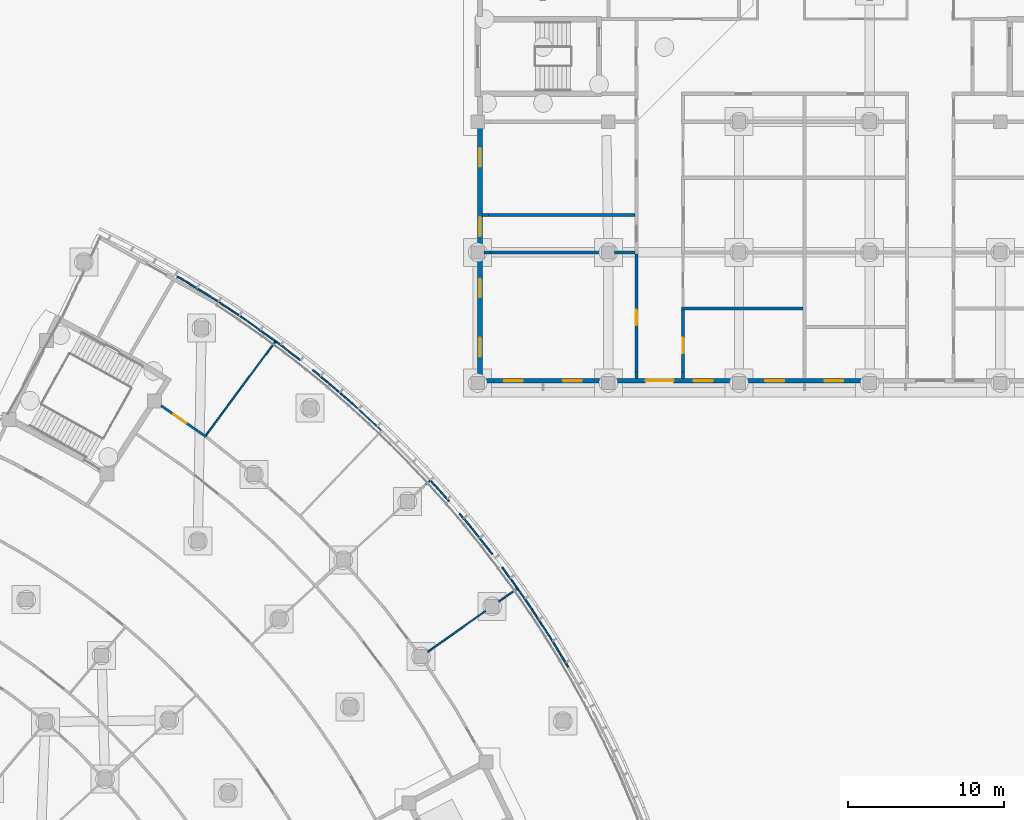
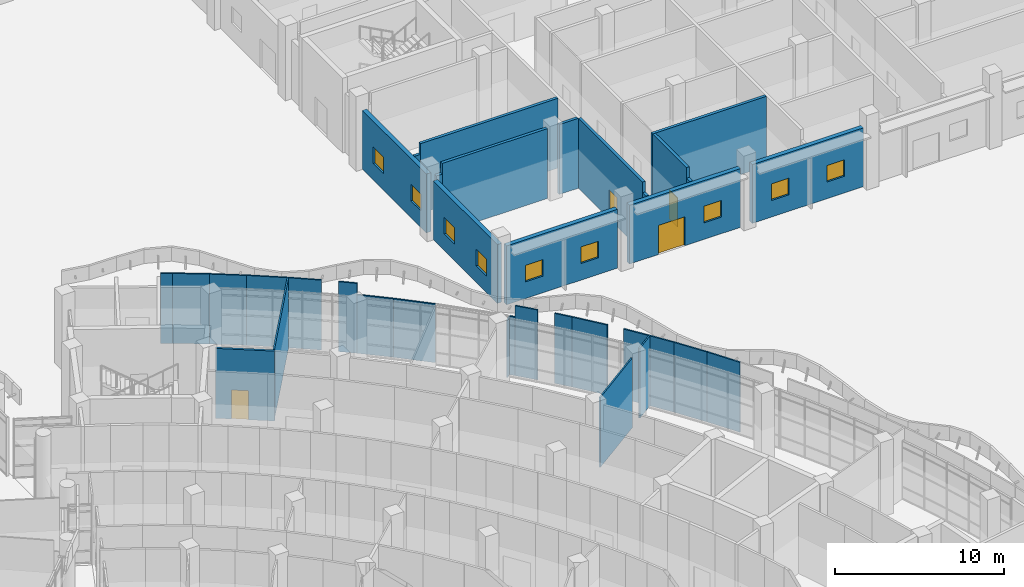
# One storey, part 80 of 146: 36 walls, 9 windows, 4 doors, 13 openings.
"""IFC4 building model written with IfcOpenShell, lengths in metres."""

from ifc_helpers import new_model, si_unit, direction, frame, frame_2d, origin, place, context, subcontext, project, spatial, rectangle, extrude, material, layer, layer_set, type_object, element, fill, save


model = new_model("IFC4")

# Units and contexts
model_context = context("Model", 3, precision=1e-05, world=origin(), true_north=direction((0.0, 1.0)))
body_context = subcontext(model_context, "Body", "Model", "MODEL_VIEW")
ifc_project = project(units=[si_unit("LENGTHUNIT", "METRE"), si_unit("AREAUNIT", "SQUARE_METRE"), si_unit("VOLUMEUNIT", "CUBIC_METRE"), si_unit("PLANEANGLEUNIT", "RADIAN"), si_unit("MASSUNIT", "GRAM", prefix="KILO")], contexts=[model_context])

# Site, building, storey
site_placement = place(None, origin())
site = spatial("IfcSite", under=ifc_project, at=site_placement, CompositionType="ELEMENT")
building_placement = place(site_placement, origin())
building = spatial("IfcBuilding", under=site, at=building_placement, Name="Bougainvillea Quay General Hospital", CompositionType="ELEMENT")
storey_placement = place(building_placement, origin())
storey = spatial("IfcBuildingStorey", under=building, at=storey_placement, Name="L00", CompositionType="ELEMENT", Elevation=0.0)

# Wall, openings, windows
ifc_material_1 = material(Name="Pale stone rainscreen cladding on insulated masonry backing, pale stone", Category="masonry")
ifc_layer_1 = layer(ifc_material_1, 0.300048828125)
ifc_layer_set_1 = layer_set([ifc_layer_1], Name="Pale stone rainscreen cladding on insulated masonry backing, pale stone")
wall_type_1 = type_object("IfcWallType", Name="External wall pale stone rainscreen 300", PredefinedType="STANDARD", material=ifc_layer_set_1)
wall_1_placement = place(storey_placement, frame((163.949951171875, 92.0, 0.0), z_axis=(0.0, 0.0, 1.0), x_axis=(0.0, -1.0, 0.0)))
wall_1 = element("IfcWall", 1, at=wall_1_placement, inside=storey, type_object=wall_type_1, Name="External wall wall/V3/L00/p0/00e", PredefinedType="STANDARD", context=body_context, shape_type="SweptSolid", body=[
    extrude(rectangle(XDim=7.60009765625, YDim=0.300048828125, at=frame_2d((3.800048828125, 0.0))), origin(), (0.0, 0.0, 1.0), 4.25),
])
opening_1_placement = place(wall_1_placement, frame((1.300048828125, 0.0, 1.199951171875)))
opening_1 = element("IfcOpeningElement", 2, at=opening_1_placement, cuts=wall_1, Name="Opening W2", PredefinedType="OPENING", context=body_context, shape_type="SweptSolid", body=[
    extrude(rectangle(XDim=1.199951171875, YDim=1.199951171875, at=frame_2d((0.60009765625, 0.60009765625))), frame((0.0, 0.159912109375, 0.0), z_axis=(0.0, -1.0, 0.0), x_axis=(1.0, 0.0, 0.0)), (0.0, 0.0, 1.0), 0.320068359375),
])
opening_2_placement = place(wall_1_placement, frame((5.75, 0.0, 1.199951171875)))
opening_2 = element("IfcOpeningElement", 3, at=opening_2_placement, cuts=wall_1, Name="Opening W2", PredefinedType="OPENING", context=body_context, shape_type="SweptSolid", body=[
    extrude(rectangle(XDim=1.199951171875, YDim=1.199951171875, at=frame_2d((0.60009765625, 0.60009765625))), frame((0.0, 0.159912109375, 0.0), z_axis=(0.0, -1.0, 0.0), x_axis=(1.0, 0.0, 0.0)), (0.0, 0.0, 1.0), 0.320068359375),
])
ifc_material_2 = material(Name="Aluminium window frame with low-e double glazed unit", Category="aluminium")
window_type = type_object("IfcWindowType", Name="Window W2 1200x1200", PartitioningType="SINGLE_PANEL", PredefinedType="WINDOW", material=ifc_material_2)
window_1_placement = place(opening_1_placement, origin())
window_1 = element("IfcWindow", 4, at=window_1_placement, inside=storey, type_object=window_type, Name="Window W2 1", OverallHeight=1.199951171875, OverallWidth=1.199951171875, PartitioningType="SINGLE_PANEL", PredefinedType="WINDOW", context=body_context, shape_type="SweptSolid", body=[
    extrude(rectangle(XDim=1.199951171875, YDim=1.199951171875, at=frame_2d((0.60009765625, 0.60009765625))), frame((0.0, 0.030029296875, 0.0), z_axis=(0.0, -1.0, 0.0), x_axis=(1.0, 0.0, 0.0)), (0.0, 0.0, 1.0), 0.06005859375),
])
fill(opening_1, window_1)
window_2_placement = place(opening_2_placement, origin())
window_2 = element("IfcWindow", 5, at=window_2_placement, inside=storey, type_object=window_type, Name="Window W2 2", OverallHeight=1.199951171875, OverallWidth=1.199951171875, PartitioningType="SINGLE_PANEL", PredefinedType="WINDOW", context=body_context, shape_type="SweptSolid", body=[
    extrude(rectangle(XDim=1.199951171875, YDim=1.199951171875, at=frame_2d((0.60009765625, 0.60009765625))), frame((0.0, 0.030029296875, 0.0), z_axis=(0.0, -1.0, 0.0), x_axis=(1.0, 0.0, 0.0)), (0.0, 0.0, 1.0), 0.06005859375),
])
fill(opening_2, window_2)

wall_2_placement = place(storey_placement, frame((163.949951171875, 83.60009765625, 0.0), z_axis=(0.0, 0.0, 1.0), x_axis=(0.0, -1.0, 0.0)))
wall_2 = element("IfcWall", 6, at=wall_2_placement, inside=storey, type_object=wall_type_1, Name="External wall wall/V3/L00/p0/00f", PredefinedType="STANDARD", context=body_context, shape_type="SweptSolid", body=[
    extrude(rectangle(XDim=7.60009765625, YDim=0.300048828125, at=frame_2d((3.800048828125, 0.0))), origin(), (0.0, 0.0, 1.0), 4.25),
])
opening_3_placement = place(wall_2_placement, frame((1.300048828125, 0.0, 1.199951171875)))
opening_3 = element("IfcOpeningElement", 7, at=opening_3_placement, cuts=wall_2, Name="Opening W2", PredefinedType="OPENING", context=body_context, shape_type="SweptSolid", body=[
    extrude(rectangle(XDim=1.199951171875, YDim=1.199951171875, at=frame_2d((0.60009765625, 0.60009765625))), frame((0.0, 0.159912109375, 0.0), z_axis=(0.0, -1.0, 0.0), x_axis=(1.0, 0.0, 0.0)), (0.0, 0.0, 1.0), 0.320068359375),
])
opening_4_placement = place(wall_2_placement, frame((5.10009765625, 0.0, 1.199951171875)))
opening_4 = element("IfcOpeningElement", 8, at=opening_4_placement, cuts=wall_2, Name="Opening W2", PredefinedType="OPENING", context=body_context, shape_type="SweptSolid", body=[
    extrude(rectangle(XDim=1.199951171875, YDim=1.199951171875, at=frame_2d((0.60009765625, 0.60009765625))), frame((0.0, 0.159912109375, 0.0), z_axis=(0.0, -1.0, 0.0), x_axis=(1.0, 0.0, 0.0)), (0.0, 0.0, 1.0), 0.320068359375),
])
window_3_placement = place(opening_3_placement, origin())
window_3 = element("IfcWindow", 9, at=window_3_placement, inside=storey, type_object=window_type, Name="Window W2 1", OverallHeight=1.199951171875, OverallWidth=1.199951171875, PartitioningType="SINGLE_PANEL", PredefinedType="WINDOW", context=body_context, shape_type="SweptSolid", body=[
    extrude(rectangle(XDim=1.199951171875, YDim=1.199951171875, at=frame_2d((0.60009765625, 0.60009765625))), frame((0.0, 0.030029296875, 0.0), z_axis=(0.0, -1.0, 0.0), x_axis=(1.0, 0.0, 0.0)), (0.0, 0.0, 1.0), 0.06005859375),
])
fill(opening_3, window_3)
window_4_placement = place(opening_4_placement, origin())
window_4 = element("IfcWindow", 10, at=window_4_placement, inside=storey, type_object=window_type, Name="Window W2 2", OverallHeight=1.199951171875, OverallWidth=1.199951171875, PartitioningType="SINGLE_PANEL", PredefinedType="WINDOW", context=body_context, shape_type="SweptSolid", body=[
    extrude(rectangle(XDim=1.199951171875, YDim=1.199951171875, at=frame_2d((0.60009765625, 0.60009765625))), frame((0.0, 0.030029296875, 0.0), z_axis=(0.0, -1.0, 0.0), x_axis=(1.0, 0.0, 0.0)), (0.0, 0.0, 1.0), 0.06005859375),
])
fill(opening_4, window_4)

wall_3_placement = place(storey_placement, frame((164.199951171875, 75.75, 0.0), z_axis=(0.0, 0.0, 1.0), x_axis=(1.0, 0.0, 0.0)))
wall_3 = element("IfcWall", 11, at=wall_3_placement, inside=storey, type_object=wall_type_1, Name="External wall wall/V3/L00/p0/01a", PredefinedType="STANDARD", context=body_context, shape_type="SweptSolid", body=[
    extrude(rectangle(XDim=7.60009765625, YDim=0.300048828125, at=frame_2d((3.800048828125, 0.0))), origin(), (0.0, 0.0, 1.0), 4.25),
])
opening_5_placement = place(wall_3_placement, frame((1.300048828125, 0.0, 1.199951171875)))
opening_5 = element("IfcOpeningElement", 12, at=opening_5_placement, cuts=wall_3, Name="Opening W2", PredefinedType="OPENING", context=body_context, shape_type="SweptSolid", body=[
    extrude(rectangle(XDim=1.199951171875, YDim=1.199951171875, at=frame_2d((0.60009765625, 0.60009765625))), frame((0.0, 0.159912109375, 0.0), z_axis=(0.0, -1.0, 0.0), x_axis=(1.0, 0.0, 0.0)), (0.0, 0.0, 1.0), 0.320068359375),
])
opening_6_placement = place(wall_3_placement, frame((5.10009765625, 0.0, 1.199951171875)))
opening_6 = element("IfcOpeningElement", 13, at=opening_6_placement, cuts=wall_3, Name="Opening W2", PredefinedType="OPENING", context=body_context, shape_type="SweptSolid", body=[
    extrude(rectangle(XDim=1.199951171875, YDim=1.199951171875, at=frame_2d((0.60009765625, 0.60009765625))), frame((0.0, 0.159912109375, 0.0), z_axis=(0.0, -1.0, 0.0), x_axis=(1.0, 0.0, 0.0)), (0.0, 0.0, 1.0), 0.320068359375),
])
window_5_placement = place(opening_5_placement, origin())
window_5 = element("IfcWindow", 14, at=window_5_placement, inside=storey, type_object=window_type, Name="Window W2 1", OverallHeight=1.199951171875, OverallWidth=1.199951171875, PartitioningType="SINGLE_PANEL", PredefinedType="WINDOW", context=body_context, shape_type="SweptSolid", body=[
    extrude(rectangle(XDim=1.199951171875, YDim=1.199951171875, at=frame_2d((0.60009765625, 0.60009765625))), frame((0.0, 0.030029296875, 0.0), z_axis=(0.0, -1.0, 0.0), x_axis=(1.0, 0.0, 0.0)), (0.0, 0.0, 1.0), 0.06005859375),
])
fill(opening_5, window_5)
window_6_placement = place(opening_6_placement, origin())
window_6 = element("IfcWindow", 15, at=window_6_placement, inside=storey, type_object=window_type, Name="Window W2 2", OverallHeight=1.199951171875, OverallWidth=1.199951171875, PartitioningType="SINGLE_PANEL", PredefinedType="WINDOW", context=body_context, shape_type="SweptSolid", body=[
    extrude(rectangle(XDim=1.199951171875, YDim=1.199951171875, at=frame_2d((0.60009765625, 0.60009765625))), frame((0.0, 0.030029296875, 0.0), z_axis=(0.0, -1.0, 0.0), x_axis=(1.0, 0.0, 0.0)), (0.0, 0.0, 1.0), 0.06005859375),
])
fill(opening_6, window_6)

# Wall, openings, door, window
wall_4_placement = place(storey_placement, frame((172.60009765625, 75.75, 0.0), z_axis=(0.0, 0.0, 1.0), x_axis=(1.0, 0.0, 0.0)))
wall_4 = element("IfcWall", 16, at=wall_4_placement, inside=storey, type_object=wall_type_1, Name="External wall wall/V3/L00/p0/01b", PredefinedType="STANDARD", context=body_context, shape_type="SweptSolid", body=[
    extrude(rectangle(XDim=7.599853515625, YDim=0.300048828125, at=frame_2d((3.7998046875, 0.0))), origin(), (0.0, 0.0, 1.0), 4.25),
])
opening_7_placement = place(wall_4_placement, frame((2.0, 0.0, 0.0)))
opening_7 = element("IfcOpeningElement", 17, at=opening_7_placement, cuts=wall_4, Name="Opening L00.323", PredefinedType="OPENING", context=body_context, shape_type="SweptSolid", body=[
    extrude(rectangle(XDim=1.800048828125, YDim=2.10009765625, at=frame_2d((0.89990234375, 1.050048828125))), frame((0.0, 0.159912109375, 0.0), z_axis=(0.0, -1.0, 0.0), x_axis=(1.0, 0.0, 0.0)), (0.0, 0.0, 1.0), 0.320068359375),
])
opening_8_placement = place(wall_4_placement, frame((5.10009765625, 0.0, 1.199951171875)))
opening_8 = element("IfcOpeningElement", 18, at=opening_8_placement, cuts=wall_4, Name="Opening W2", PredefinedType="OPENING", context=body_context, shape_type="SweptSolid", body=[
    extrude(rectangle(XDim=1.199951171875, YDim=1.199951171875, at=frame_2d((0.60009765625, 0.60009765625))), frame((0.0, 0.159912109375, 0.0), z_axis=(0.0, -1.0, 0.0), x_axis=(1.0, 0.0, 0.0)), (0.0, 0.0, 1.0), 0.320068359375),
])
ifc_material_3 = material(Name="Steel door set, painted, with vision panels", Category="steel")
door_type_1 = type_object("IfcDoorType", Name="Escape door 1800x2100", OperationType="DOUBLE_DOOR_SINGLE_SWING", PredefinedType="DOOR", material=ifc_material_3)
door_1_placement = place(opening_7_placement, frame((1.800048828125, 0.0, 0.0), z_axis=(0.0, 0.0, 1.0), x_axis=(-1.0, 0.0, 0.0)))
door_1 = element("IfcDoor", 19, at=door_1_placement, inside=storey, type_object=door_type_1, Name="Escape door 11", OperationType="SINGLE_SWING_LEFT", OverallHeight=2.10009765625, OverallWidth=1.800048828125, PredefinedType="DOOR", context=body_context, shape_type="SweptSolid", body=[
    extrude(rectangle(XDim=1.800048828125, YDim=2.10009765625, at=frame_2d((0.89990234375, 1.050048828125))), frame((0.0, 0.02490234375, 0.0), z_axis=(0.0, -1.0, 0.0), x_axis=(1.0, 0.0, 0.0)), (0.0, 0.0, 1.0), 0.050048828125),
])
fill(opening_7, door_1)
window_7_placement = place(opening_8_placement, origin())
window_7 = element("IfcWindow", 20, at=window_7_placement, inside=storey, type_object=window_type, Name="Window W2 2", OverallHeight=1.199951171875, OverallWidth=1.199951171875, PartitioningType="SINGLE_PANEL", PredefinedType="WINDOW", context=body_context, shape_type="SweptSolid", body=[
    extrude(rectangle(XDim=1.199951171875, YDim=1.199951171875, at=frame_2d((0.60009765625, 0.60009765625))), frame((0.0, 0.030029296875, 0.0), z_axis=(0.0, -1.0, 0.0), x_axis=(1.0, 0.0, 0.0)), (0.0, 0.0, 1.0), 0.06005859375),
])
fill(opening_8, window_7)

# Wall, openings, windows
wall_5_placement = place(storey_placement, frame((181.0, 75.75, 0.0), z_axis=(0.0, 0.0, 1.0), x_axis=(1.0, 0.0, 0.0)))
wall_5 = element("IfcWall", 21, at=wall_5_placement, inside=storey, type_object=wall_type_1, Name="External wall wall/V3/L00/p0/01c", PredefinedType="STANDARD", context=body_context, shape_type="SweptSolid", body=[
    extrude(rectangle(XDim=7.60009765625, YDim=0.300048828125, at=frame_2d((3.800048828125, 0.0))), origin(), (0.0, 0.0, 1.0), 4.25),
])
opening_9_placement = place(wall_5_placement, frame((1.300048828125, 0.0, 1.199951171875)))
opening_9 = element("IfcOpeningElement", 22, at=opening_9_placement, cuts=wall_5, Name="Opening W2", PredefinedType="OPENING", context=body_context, shape_type="SweptSolid", body=[
    extrude(rectangle(XDim=1.199951171875, YDim=1.199951171875, at=frame_2d((0.60009765625, 0.60009765625))), frame((0.0, 0.159912109375, 0.0), z_axis=(0.0, -1.0, 0.0), x_axis=(1.0, 0.0, 0.0)), (0.0, 0.0, 1.0), 0.320068359375),
])
opening_10_placement = place(wall_5_placement, frame((5.10009765625, 0.0, 1.199951171875)))
opening_10 = element("IfcOpeningElement", 23, at=opening_10_placement, cuts=wall_5, Name="Opening W2", PredefinedType="OPENING", context=body_context, shape_type="SweptSolid", body=[
    extrude(rectangle(XDim=1.199951171875, YDim=1.199951171875, at=frame_2d((0.60009765625, 0.60009765625))), frame((0.0, 0.159912109375, 0.0), z_axis=(0.0, -1.0, 0.0), x_axis=(1.0, 0.0, 0.0)), (0.0, 0.0, 1.0), 0.320068359375),
])
window_8_placement = place(opening_9_placement, origin())
window_8 = element("IfcWindow", 24, at=window_8_placement, inside=storey, type_object=window_type, Name="Window W2 1", OverallHeight=1.199951171875, OverallWidth=1.199951171875, PartitioningType="SINGLE_PANEL", PredefinedType="WINDOW", context=body_context, shape_type="SweptSolid", body=[
    extrude(rectangle(XDim=1.199951171875, YDim=1.199951171875, at=frame_2d((0.60009765625, 0.60009765625))), frame((0.0, 0.030029296875, 0.0), z_axis=(0.0, -1.0, 0.0), x_axis=(1.0, 0.0, 0.0)), (0.0, 0.0, 1.0), 0.06005859375),
])
fill(opening_9, window_8)
window_9_placement = place(opening_10_placement, origin())
window_9 = element("IfcWindow", 25, at=window_9_placement, inside=storey, type_object=window_type, Name="Window W2 2", OverallHeight=1.199951171875, OverallWidth=1.199951171875, PartitioningType="SINGLE_PANEL", PredefinedType="WINDOW", context=body_context, shape_type="SweptSolid", body=[
    extrude(rectangle(XDim=1.199951171875, YDim=1.199951171875, at=frame_2d((0.60009765625, 0.60009765625))), frame((0.0, 0.030029296875, 0.0), z_axis=(0.0, -1.0, 0.0), x_axis=(1.0, 0.0, 0.0)), (0.0, 0.0, 1.0), 0.06005859375),
])
fill(opening_10, window_9)

# Walls
ifc_material_4 = material(Name="Gypsum board partition on steel studs", Category="steel")
ifc_layer_2 = layer(ifc_material_4, 0.10009765625)
ifc_layer_set_2 = layer_set([ifc_layer_2], Name="Gypsum board partition on steel studs")
wall_type_2 = type_object("IfcWallType", Name="Partition 100 Gypsum board partition EI 30", PredefinedType="PARTITIONING", material=ifc_layer_set_2)
wall_6_placement = place(storey_placement, frame((160.474853515625, 69.09033203125, 0.0), z_axis=(0.0, 0.0, 1.0), x_axis=(0.736629194593, 0.676296850262, 0.0)))
element("IfcWall", 26, at=wall_6_placement, inside=storey, type_object=wall_type_2, Name="Partition 100 mm EI 30", PredefinedType="PARTITIONING", context=body_context, shape_type="SweptSolid", body=[
    extrude(rectangle(XDim=0.4248046875, YDim=0.10009765625, at=frame_2d((0.21240234375, 0.0))), origin(), (0.0, 0.0, 1.0), 4.1298828125),
])
wall_7_placement = place(storey_placement, frame((146.33447265625, 72.24267578125, 0.0), z_axis=(0.0, 0.0, 1.0), x_axis=(0.594359314976, 0.804199605012, 0.0)))
element("IfcWall", 27, at=wall_7_placement, inside=storey, type_object=wall_type_2, Name="Partition 100 mm EI 30", PredefinedType="PARTITIONING", context=body_context, shape_type="SweptSolid", body=[
    extrude(rectangle(XDim=7.568359375, YDim=0.10009765625, at=frame_2d((3.7841796875, 0.0))), origin(), (0.0, 0.0, 1.0), 5.050048828125),
])
wall_8_placement = place(storey_placement, frame((160.585205078125, 58.318603515625, 0.0), z_axis=(0.0, 0.0, 1.0), x_axis=(0.816630246187, 0.577161191534, 0.0)))
element("IfcWall", 28, at=wall_8_placement, inside=storey, type_object=wall_type_2, Name="Partition 100 mm EI 30", PredefinedType="PARTITIONING", context=body_context, shape_type="SweptSolid", body=[
    extrude(rectangle(XDim=4.551025390625, YDim=0.10009765625, at=frame_2d((2.275390625, 0.0))), origin(), (0.0, 0.0, 1.0), 5.050048828125),
])
wall_9_placement = place(storey_placement, frame((165.158203125, 61.550537109375, 0.0), z_axis=(0.0, 0.0, 1.0), x_axis=(0.816659911288, 0.577119215842, 0.0)))
element("IfcWall", 29, at=wall_9_placement, inside=storey, type_object=wall_type_2, Name="Partition 100 mm EI 30", PredefinedType="PARTITIONING", context=body_context, shape_type="SweptSolid", body=[
    extrude(rectangle(XDim=1.5166015625, YDim=0.10009765625, at=frame_2d((0.75830078125, 0.0))), origin(), (0.0, 0.0, 1.0), 5.050048828125),
])
wall_10_placement = place(storey_placement, frame((155.734375, 74.2890625, 0.0), z_axis=(0.0, 0.0, 1.0), x_axis=(0.733429122978, -0.679765931456, 0.0)))
element("IfcWall", 30, at=wall_10_placement, inside=storey, type_object=wall_type_2, Name="Partition 100 mm EI 30", PredefinedType="PARTITIONING", context=body_context, shape_type="SweptSolid", body=[
    extrude(rectangle(XDim=2.529541015625, YDim=0.10009765625, at=frame_2d((1.2646484375, 0.0))), origin(), (0.0, 0.0, 1.0), 4.22998046875),
])
wall_11_placement = place(storey_placement, frame((148.810302734375, 79.713134765625, 0.0), z_axis=(0.0, 0.0, 1.0), x_axis=(0.813602775044, -0.581421124866, 0.0)))
element("IfcWall", 31, at=wall_11_placement, inside=storey, type_object=wall_type_2, Name="Partition 100 mm EI 30", PredefinedType="PARTITIONING", context=body_context, shape_type="SweptSolid", body=[
    extrude(rectangle(XDim=2.3984375, YDim=0.10009765625, at=frame_2d((1.19921875, 0.0))), origin(), (0.0, 0.0, 1.0), 5.050048828125),
])
wall_12_placement = place(storey_placement, frame((168.482177734375, 59.212890625, 0.0), z_axis=(0.0, 0.0, 1.0), x_axis=(0.517604223091, -0.855620165867, 0.0)))
element("IfcWall", 32, at=wall_12_placement, inside=storey, type_object=wall_type_2, Name="Partition 100 mm EI 30", PredefinedType="PARTITIONING", context=body_context, shape_type="SweptSolid", body=[
    extrude(rectangle(XDim=2.20361328125, YDim=0.10009765625, at=frame_2d((1.101806640625, 0.0))), origin(), (0.0, 0.0, 1.0), 5.050048828125),
])
wall_13_placement = place(storey_placement, frame((167.28271484375, 61.058837890625, 0.0), z_axis=(0.0, 0.0, 1.0), x_axis=(0.544248024884, -0.838924363342, 0.0)))
element("IfcWall", 33, at=wall_13_placement, inside=storey, type_object=wall_type_2, Name="Partition 100 mm EI 30", PredefinedType="PARTITIONING", context=body_context, shape_type="SweptSolid", body=[
    extrude(rectangle(XDim=2.202880859375, YDim=0.10009765625, at=frame_2d((1.1015625, 0.0))), origin(), (0.0, 0.0, 1.0), 5.050048828125),
])
wall_14_placement = place(storey_placement, frame((163.344970703125, 66.357177734375, 0.0), z_axis=(0.0, 0.0, 1.0), x_axis=(0.621064038845, -0.783759822684, 0.0)))
element("IfcWall", 34, at=wall_14_placement, inside=storey, type_object=wall_type_2, Name="Partition 100 mm EI 30", PredefinedType="PARTITIONING", context=body_context, shape_type="SweptSolid", body=[
    extrude(rectangle(XDim=2.2509765625, YDim=0.10009765625, at=frame_2d((1.12548828125, 0.0))), origin(), (0.0, 0.0, 1.0), 5.050048828125),
])
wall_15_placement = place(storey_placement, frame((154.068115234375, 75.7255859375, 0.0), z_axis=(0.0, 0.0, 1.0), x_axis=(0.756840461565, -0.653599660142, 0.0)))
element("IfcWall", 35, at=wall_15_placement, inside=storey, type_object=wall_type_2, Name="Partition 100 mm EI 30", PredefinedType="PARTITIONING", context=body_context, shape_type="SweptSolid", body=[
    extrude(rectangle(XDim=2.20166015625, YDim=0.10009765625, at=frame_2d((1.100830078125, 0.0))), origin(), (0.0, 0.0, 1.0), 4.22998046875),
])
wall_16_placement = place(storey_placement, frame((146.977294921875, 80.9296875, 0.0), z_axis=(0.0, 0.0, 1.0), x_axis=(0.832749063635, -0.553650609152, 0.0)))
element("IfcWall", 36, at=wall_16_placement, inside=storey, type_object=wall_type_2, Name="Partition 100 mm EI 30", PredefinedType="PARTITIONING", context=body_context, shape_type="SweptSolid", body=[
    extrude(rectangle(XDim=2.20166015625, YDim=0.10009765625, at=frame_2d((1.100830078125, 0.0))), origin(), (0.0, 0.0, 1.0), 5.050048828125),
])
wall_17_placement = place(storey_placement, frame((145.107421875, 82.08837890625, 0.0), z_axis=(0.0, 0.0, 1.0), x_axis=(0.849645306831, -0.527354579557, 0.0)))
element("IfcWall", 37, at=wall_17_placement, inside=storey, type_object=wall_type_2, Name="Partition 100 mm EI 30", PredefinedType="PARTITIONING", context=body_context, shape_type="SweptSolid", body=[
    extrude(rectangle(XDim=2.201416015625, YDim=0.10009765625, at=frame_2d((1.1005859375, 0.0))), origin(), (0.0, 0.0, 1.0), 5.050048828125),
])
wall_18_placement = place(storey_placement, frame((150.84326171875, 78.25830078125, 0.0), z_axis=(0.0, 0.0, 1.0), x_axis=(0.796261035584, -0.604953190925, 0.0)))
element("IfcWall", 38, at=wall_18_placement, inside=storey, type_object=wall_type_2, Name="Partition 100 mm EI 30", PredefinedType="PARTITIONING", context=body_context, shape_type="SweptSolid", body=[
    extrude(rectangle(XDim=1.951171875, YDim=0.10009765625, at=frame_2d((0.9755859375, 0.0))), origin(), (0.0, 0.0, 1.0), 5.050048828125),
])
wall_19_placement = place(storey_placement, frame((160.784912109375, 69.306396484375, 0.0), z_axis=(0.0, 0.0, 1.0), x_axis=(0.666957987384, -0.745095324818, 0.0)))
element("IfcWall", 39, at=wall_19_placement, inside=storey, type_object=wall_type_2, Name="Partition 100 mm EI 30", PredefinedType="PARTITIONING", context=body_context, shape_type="SweptSolid", body=[
    extrude(rectangle(XDim=0.349853515625, YDim=0.10009765625, at=frame_2d((0.1748046875, 0.0))), origin(), (0.0, 0.0, 1.0), 4.22998046875),
])
wall_20_placement = place(storey_placement, frame((161.018310546875, 69.045654296875, 0.0), z_axis=(0.0, 0.0, 1.0), x_axis=(0.667648018885, -0.744477080157, 0.0)))
element("IfcWall", 40, at=wall_20_placement, inside=storey, type_object=wall_type_2, Name="Partition 100 mm EI 30", PredefinedType="PARTITIONING", context=body_context, shape_type="SweptSolid", body=[
    extrude(rectangle(XDim=1.404541015625, YDim=0.10009765625, at=frame_2d((0.7021484375, 0.0))), origin(), (0.0, 0.0, 1.0), 5.050048828125),
])
wall_21_placement = place(storey_placement, frame((166.384765625, 62.35546875, 0.0), z_axis=(0.0, 0.0, 1.0), x_axis=(0.568646920536, -0.822581716163, 0.0)))
element("IfcWall", 41, at=wall_21_placement, inside=storey, type_object=wall_type_2, Name="Partition 100 mm EI 30", PredefinedType="PARTITIONING", context=body_context, shape_type="SweptSolid", body=[
    extrude(rectangle(XDim=1.57861328125, YDim=0.10009765625, at=frame_2d((0.789306640625, 0.0))), origin(), (0.0, 0.0, 1.0), 5.050048828125),
])
wall_22_placement = place(storey_placement, frame((165.375, 63.7548828125, 0.0), z_axis=(0.0, 0.0, 1.0), x_axis=(0.585622227381, -0.810584114573, 0.0)))
element("IfcWall", 42, at=wall_22_placement, inside=storey, type_object=wall_type_2, Name="Partition 100 mm EI 30", PredefinedType="PARTITIONING", context=body_context, shape_type="SweptSolid", body=[
    extrude(rectangle(XDim=1.62451171875, YDim=0.10009765625, at=frame_2d((0.812255859375, 0.0))), origin(), (0.0, 0.0, 1.0), 5.050048828125),
])
wall_23_placement = place(storey_placement, frame((153.193115234375, 76.43798828125, 0.0), z_axis=(0.0, 0.0, 1.0), x_axis=(0.774823231102, -0.632177950062, 0.0)))
element("IfcWall", 43, at=wall_23_placement, inside=storey, type_object=wall_type_2, Name="Partition 100 mm EI 30", PredefinedType="PARTITIONING", context=body_context, shape_type="SweptSolid", body=[
    extrude(rectangle(XDim=1.129638671875, YDim=0.10009765625, at=frame_2d((0.56494140625, 0.0))), origin(), (0.0, 0.0, 1.0), 5.050048828125),
])
wall_24_placement = place(storey_placement, frame((162.637939453125, 67.2041015625, 0.0), z_axis=(0.0, 0.0, 1.0), x_axis=(0.639966938555, -0.768402445049, 0.0)))
element("IfcWall", 44, at=wall_24_placement, inside=storey, type_object=wall_type_2, Name="Partition 100 mm EI 30", PredefinedType="PARTITIONING", context=body_context, shape_type="SweptSolid", body=[
    extrude(rectangle(XDim=1.1044921875, YDim=0.10009765625, at=frame_2d((0.55224609375, 0.0))), origin(), (0.0, 0.0, 1.0), 5.050048828125),
])
wall_25_placement = place(storey_placement, frame((144.4921875, 82.442138671875, 0.0), z_axis=(0.0, 0.0, 1.0), x_axis=(0.865739479265, -0.500494909107, 0.0)))
element("IfcWall", 45, at=wall_25_placement, inside=storey, type_object=wall_type_2, Name="Partition 100 mm EI 30", PredefinedType="PARTITIONING", context=body_context, shape_type="SweptSolid", body=[
    extrude(rectangle(XDim=0.711181640625, YDim=0.10009765625, at=frame_2d((0.35546875, 0.0))), origin(), (0.0, 0.0, 1.0), 5.050048828125),
])

# Wall, opening, door
ifc_material_5 = material(Name="Gypsum board partition on steel studs, insulated", Category="steel")
ifc_layer_3 = layer(ifc_material_5, 0.14990234375)
ifc_layer_set_3 = layer_set([ifc_layer_3], Name="Gypsum board partition on steel studs, insulated")
wall_type_3 = type_object("IfcWallType", Name="Partition 150 Gypsum board partition EI 30", PredefinedType="PARTITIONING", material=ifc_layer_set_3)
wall_26_placement = place(storey_placement, frame((143.455810546875, 74.138671875, 0.0), z_axis=(0.0, 0.0, 1.0), x_axis=(0.822701427784, -0.568473711549, 0.0)))
wall_26 = element("IfcWall", 46, at=wall_26_placement, inside=storey, type_object=wall_type_3, Name="Partition 150 mm EI 30", PredefinedType="PARTITIONING", context=body_context, shape_type="SweptSolid", body=[
    extrude(rectangle(XDim=3.5185546875, YDim=0.14990234375, at=frame_2d((1.75927734375, 0.0))), origin(), (0.0, 0.0, 1.0), 5.050048828125),
])
opening_11_placement = place(wall_26_placement, frame((0.953369140625, 0.0, 0.0)))
opening_11 = element("IfcOpeningElement", 47, at=opening_11_placement, cuts=wall_26, Name="Opening L00.270", PredefinedType="OPENING", context=body_context, shape_type="SweptSolid", body=[
    extrude(rectangle(XDim=1.0, YDim=2.10009765625, at=frame_2d((0.5, 1.050048828125))), frame((0.0, 0.0849609375, 0.0), z_axis=(0.0, -1.0, 0.0), x_axis=(1.0, 0.0, 0.0)), (0.0, 0.0, 1.0), 0.169921875),
])
ifc_material_6 = material(Name="Solid-core timber door leaf in steel frame", Category="steel")
door_type_2 = type_object("IfcDoorType", Name="Single leaf door 1000x2100 FD30S", OperationType="NOTDEFINED", PredefinedType="DOOR", material=ifc_material_6)
door_2_placement = place(opening_11_placement, origin())
door_2 = element("IfcDoor", 48, at=door_2_placement, inside=storey, type_object=door_type_2, Name="DT15 L00.270", OperationType="SINGLE_SWING_LEFT", OverallHeight=2.10009765625, OverallWidth=1.0, PredefinedType="DOOR", context=body_context, shape_type="SweptSolid", body=[
    extrude(rectangle(XDim=1.0, YDim=2.10009765625, at=frame_2d((0.5, 1.050048828125))), frame((0.0, 0.02490234375, 0.0), z_axis=(0.0, -1.0, 0.0), x_axis=(1.0, 0.0, 0.0)), (0.0, 0.0, 1.0), 0.050048828125),
])
fill(opening_11, door_2)

# Walls
ifc_material_7 = material(Name="Fire-rated autoclaved aerated block wall, plastered")
ifc_layer_4 = layer(ifc_material_7, 0.199951171875)
ifc_layer_set_4 = layer_set([ifc_layer_4], Name="Fire-rated autoclaved aerated block wall, plastered")
wall_type_4 = type_object("IfcWallType", Name="Partition 200 Fire-rated autoclaved aerated block wall EI 120", PredefinedType="SOLIDWALL", material=ifc_layer_set_4)
wall_27_placement = place(storey_placement, frame((164.199951171875, 84.0, 0.0), z_axis=(0.0, 0.0, 1.0), x_axis=(1.0, 0.0, 0.0)))
element("IfcWall", 49, at=wall_27_placement, inside=storey, type_object=wall_type_4, Name="Partition 200 mm EI 120", PredefinedType="SOLIDWALL", context=body_context, shape_type="SweptSolid", body=[
    extrude(rectangle(XDim=0.400146484375, YDim=0.199951171875, at=frame_2d((0.2001953125, 0.0))), origin(), (0.0, 0.0, 1.0), 4.280029296875),
])
wall_28_placement = place(storey_placement, frame((164.60009765625, 84.0, 0.0), z_axis=(0.0, 0.0, 1.0), x_axis=(1.0, 0.0, 0.0)))
element("IfcWall", 50, at=wall_28_placement, inside=storey, type_object=wall_type_4, Name="Partition 200 mm EI 120", PredefinedType="SOLIDWALL", context=body_context, shape_type="SweptSolid", body=[
    extrude(rectangle(XDim=7.199951171875, YDim=0.199951171875, at=frame_2d((3.60009765625, 0.0))), origin(), (0.0, 0.0, 1.0), 5.050048828125),
])
wall_29_placement = place(storey_placement, frame((172.60009765625, 84.0, 0.0), z_axis=(0.0, 0.0, 1.0), x_axis=(1.0, 0.0, 0.0)))
element("IfcWall", 51, at=wall_29_placement, inside=storey, type_object=wall_type_4, Name="Partition 200 mm EI 120", PredefinedType="SOLIDWALL", context=body_context, shape_type="SweptSolid", body=[
    extrude(rectangle(XDim=1.2998046875, YDim=0.199951171875, at=frame_2d((0.64990234375, 0.0))), origin(), (0.0, 0.0, 1.0), 5.050048828125),
])
wall_30_placement = place(storey_placement, frame((174.0, 75.89990234375, 0.0), z_axis=(0.0, 0.0, 1.0), x_axis=(0.0, 1.0, 0.0)))
element("IfcWall", 52, at=wall_30_placement, inside=storey, type_object=wall_type_4, Name="Partition 200 mm EI 120", PredefinedType="SOLIDWALL", context=body_context, shape_type="SweptSolid", body=[
    extrude(rectangle(XDim=0.400146484375, YDim=0.199951171875, at=frame_2d((0.2001953125, 0.0))), origin(), (0.0, 0.0, 1.0), 4.280029296875),
])

# Wall, opening, door
wall_31_placement = place(storey_placement, frame((174.0, 76.300048828125, 0.0), z_axis=(0.0, 0.0, 1.0), x_axis=(0.0, 1.0, 0.0)))
wall_31 = element("IfcWall", 53, at=wall_31_placement, inside=storey, type_object=wall_type_4, Name="Partition 200 mm EI 120", PredefinedType="SOLIDWALL", context=body_context, shape_type="SweptSolid", body=[
    extrude(rectangle(XDim=7.599853515625, YDim=0.199951171875, at=frame_2d((3.7998046875, 0.0))), origin(), (0.0, 0.0, 1.0), 5.050048828125),
])
opening_12_placement = place(wall_31_placement, frame((3.0, 0.0, 0.0)))
opening_12 = element("IfcOpeningElement", 54, at=opening_12_placement, cuts=wall_31, Name="Opening L00.099", PredefinedType="OPENING", context=body_context, shape_type="SweptSolid", body=[
    extrude(rectangle(XDim=1.0, YDim=2.10009765625, at=frame_2d((0.5, 1.050048828125))), frame((0.0, 0.10986328125, 0.0), z_axis=(0.0, -1.0, 0.0), x_axis=(1.0, 0.0, 0.0)), (0.0, 0.0, 1.0), 0.219970703125),
])
ifc_material_8 = material(Name="Steel fire door leaf in steel frame", Category="steel")
door_type_3 = type_object("IfcDoorType", Name="Steel single leaf door 1000x2100 FD90", OperationType="NOTDEFINED", PredefinedType="DOOR", material=ifc_material_8)
door_3_placement = place(opening_12_placement, origin())
door_3 = element("IfcDoor", 55, at=door_3_placement, inside=storey, type_object=door_type_3, Name="DT11 L00.099", OperationType="SINGLE_SWING_LEFT", OverallHeight=2.10009765625, OverallWidth=1.0, PredefinedType="DOOR", context=body_context, shape_type="SweptSolid", body=[
    extrude(rectangle(XDim=1.0, YDim=2.10009765625, at=frame_2d((0.5, 1.050048828125))), frame((0.0, 0.02490234375, 0.0), z_axis=(0.0, -1.0, 0.0), x_axis=(1.0, 0.0, 0.0)), (0.0, 0.0, 1.0), 0.050048828125),
])
fill(opening_12, door_3)

# Walls
ifc_layer_5 = layer(ifc_material_7, 0.199951171875)
ifc_layer_set_5 = layer_set([ifc_layer_5], Name="Fire-rated autoclaved aerated block wall, plastered")
wall_type_5 = type_object("IfcWallType", Name="Partition 200 Fire-rated autoclaved aerated block wall EI 60", PredefinedType="SOLIDWALL", material=ifc_layer_set_5)
wall_32_placement = place(storey_placement, frame((164.10009765625, 86.39990234375, 0.0), z_axis=(0.0, 0.0, 1.0), x_axis=(1.0, 0.0, 0.0)))
element("IfcWall", 56, at=wall_32_placement, inside=storey, type_object=wall_type_5, Name="Partition 200 mm EI 60", PredefinedType="SOLIDWALL", context=body_context, shape_type="SweptSolid", body=[
    extrude(rectangle(XDim=0.39990234375, YDim=0.199951171875, at=frame_2d((0.199951171875, 0.0))), origin(), (0.0, 0.0, 1.0), 4.280029296875),
])
wall_33_placement = place(storey_placement, frame((164.5, 86.39990234375, 0.0), z_axis=(0.0, 0.0, 1.0), x_axis=(1.0, 0.0, 0.0)))
element("IfcWall", 57, at=wall_33_placement, inside=storey, type_object=wall_type_5, Name="Partition 200 mm EI 60", PredefinedType="SOLIDWALL", context=body_context, shape_type="SweptSolid", body=[
    extrude(rectangle(XDim=9.39990234375, YDim=0.199951171875, at=frame_2d((4.699951171875, 0.0))), origin(), (0.0, 0.0, 1.0), 5.050048828125),
])
wall_34_placement = place(storey_placement, frame((176.89990234375, 80.39990234375, 0.0), z_axis=(0.0, 0.0, 1.0), x_axis=(1.0, 0.0, 0.0)))
element("IfcWall", 58, at=wall_34_placement, inside=storey, type_object=wall_type_5, Name="Partition 200 mm EI 60", PredefinedType="SOLIDWALL", context=body_context, shape_type="SweptSolid", body=[
    extrude(rectangle(XDim=7.800048828125, YDim=0.199951171875, at=frame_2d((3.89990234375, 0.0))), origin(), (0.0, 0.0, 1.0), 5.050048828125),
])
wall_35_placement = place(storey_placement, frame((177.0, 75.89990234375, 0.0), z_axis=(0.0, 0.0, 1.0), x_axis=(0.0, 1.0, 0.0)))
element("IfcWall", 59, at=wall_35_placement, inside=storey, type_object=wall_type_5, Name="Partition 200 mm EI 60", PredefinedType="SOLIDWALL", context=body_context, shape_type="SweptSolid", body=[
    extrude(rectangle(XDim=0.400146484375, YDim=0.199951171875, at=frame_2d((0.2001953125, 0.0))), origin(), (0.0, 0.0, 1.0), 4.280029296875),
])

# Wall, opening, door
wall_36_placement = place(storey_placement, frame((177.0, 76.300048828125, 0.0), z_axis=(0.0, 0.0, 1.0), x_axis=(0.0, 1.0, 0.0)))
wall_36 = element("IfcWall", 60, at=wall_36_placement, inside=storey, type_object=wall_type_5, Name="Partition 200 mm EI 60", PredefinedType="SOLIDWALL", context=body_context, shape_type="SweptSolid", body=[
    extrude(rectangle(XDim=4.0, YDim=0.199951171875, at=frame_2d((2.0, 0.0))), origin(), (0.0, 0.0, 1.0), 5.050048828125),
])
opening_13_placement = place(wall_36_placement, frame((1.199951171875, 0.0, 0.0)))
opening_13 = element("IfcOpeningElement", 61, at=opening_13_placement, cuts=wall_36, Name="Opening L00.104", PredefinedType="OPENING", context=body_context, shape_type="SweptSolid", body=[
    extrude(rectangle(XDim=1.0, YDim=2.10009765625, at=frame_2d((0.5, 1.050048828125))), frame((0.0, 0.10986328125, 0.0), z_axis=(0.0, -1.0, 0.0), x_axis=(1.0, 0.0, 0.0)), (0.0, 0.0, 1.0), 0.219970703125),
])
door_type_4 = type_object("IfcDoorType", Name="Steel single leaf door 1000x2100 FD60", OperationType="NOTDEFINED", PredefinedType="DOOR", material=ifc_material_8)
door_4_placement = place(opening_13_placement, frame((1.0, 0.0, 0.0), z_axis=(0.0, 0.0, 1.0), x_axis=(-1.0, 0.0, 0.0)))
door_4 = element("IfcDoor", 62, at=door_4_placement, inside=storey, type_object=door_type_4, Name="DT10 L00.104", OperationType="SINGLE_SWING_RIGHT", OverallHeight=2.10009765625, OverallWidth=1.0, PredefinedType="DOOR", context=body_context, shape_type="SweptSolid", body=[
    extrude(rectangle(XDim=1.0, YDim=2.10009765625, at=frame_2d((0.5, 1.050048828125))), frame((0.0, 0.02490234375, 0.0), z_axis=(0.0, -1.0, 0.0), x_axis=(1.0, 0.0, 0.0)), (0.0, 0.0, 1.0), 0.050048828125),
])
fill(opening_13, door_4)

save(model, "model.ifc")
